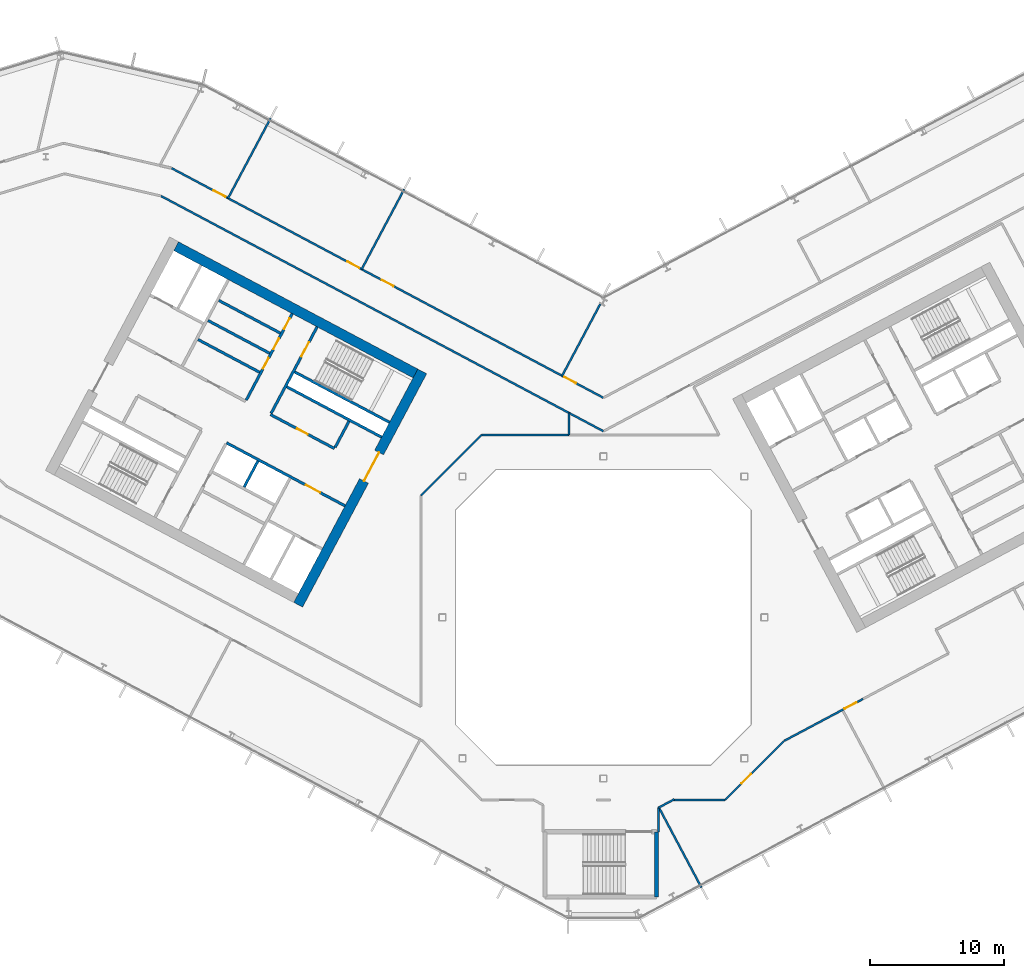
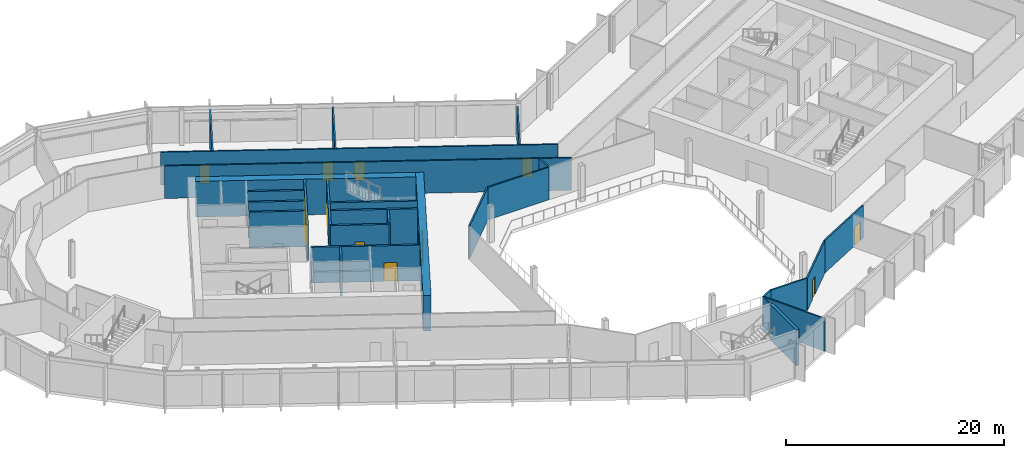
# One storey, part 15 of 28: 29 walls, 13 doors, 13 openings.
"""IFC4 building model written with IfcOpenShell, lengths in metres."""

from ifc_helpers import new_model, si_unit, direction, frame, frame_2d, origin, place, context, subcontext, project, spatial, rectangle, extrude, material, layer, layer_set, type_object, element, fill, save


model = new_model("IFC4")

# Units and contexts
model_context = context("Model", 3, precision=1e-05, world=origin(), true_north=direction((0.0, 1.0)))
body_context = subcontext(model_context, "Body", "Model", "MODEL_VIEW")
ifc_project = project(units=[si_unit("LENGTHUNIT", "METRE"), si_unit("AREAUNIT", "SQUARE_METRE"), si_unit("VOLUMEUNIT", "CUBIC_METRE"), si_unit("PLANEANGLEUNIT", "RADIAN"), si_unit("MASSUNIT", "GRAM", prefix="KILO")], contexts=[model_context])

# Site, building, storey
site_placement = place(None, origin())
site = spatial("IfcSite", under=ifc_project, at=site_placement, CompositionType="ELEMENT")
building_placement = place(site_placement, origin())
building = spatial("IfcBuilding", under=site, at=building_placement, Name="Cormorant Relay Tower", CompositionType="ELEMENT")
storey_placement = place(building_placement, frame((0.0, 0.0, 154.199951171875)))
storey = spatial("IfcBuildingStorey", under=building, at=storey_placement, Name="L32", CompositionType="ELEMENT", Elevation=154.199951171875)

# Walls
ifc_material_1 = material(Name="Concrete 40 MPa", Category="concrete")
ifc_layer_1 = layer(ifc_material_1, 0.199951171875)
ifc_layer_set_1 = layer_set([ifc_layer_1], Name="Core internal wall 200")
wall_type_1 = type_object("IfcWallType", Name="Core internal wall 200", PredefinedType="SOLIDWALL", material=ifc_layer_set_1)
wall_1_placement = place(storey_placement, frame((-25.744140625, 11.64990234375, 0.0), z_axis=(0.0, 0.0, 1.0), x_axis=(-0.469487830541, -0.882938942948, 0.0)))
element("IfcWall", 1, at=wall_1_placement, inside=storey, type_object=wall_type_1, Name="L32 core A shaft and room wall", PredefinedType="SOLIDWALL", context=body_context, shape_type="SweptSolid", body=[
    extrude(rectangle(XDim=2.2001953125, YDim=0.199951171875, at=frame_2d((1.10009765625, 0.0))), origin(), (0.0, 0.0, 1.0), 4.0),
])
for number, where, z_axis, x_axis, name in (
    (2, (-24.073974609375, 21.181396484375, 0.0), (0.0, 0.0, 1.0), (-0.882953967957, 0.469459572775, 0.0), "L32 core A shaft and room wall"),
    (3, (-24.8720703125, 19.680419921875, 0.0), (0.0, 0.0, 1.0), (-0.882953967957, 0.469459572775, 0.0), "L32 core A shaft and room wall"),
):
    element("IfcWall", number, at=place(storey_placement, frame(where, z_axis=z_axis, x_axis=x_axis)), inside=storey, type_object=wall_type_1, Name=name, PredefinedType="SOLIDWALL", context=body_context, shape_type="SweptSolid", body=[
        extrude(rectangle(XDim=5.199951171875, YDim=0.199951171875, at=frame_2d((2.60009765625, 0.0))), origin(), (0.0, 0.0, 1.0), 4.0),
    ])
ifc_material_2 = material(Name="Concrete 50 MPa", Category="concrete")
ifc_layer_2 = layer(ifc_material_2, 0.199951171875)
ifc_layer_set_2 = layer_set([ifc_layer_2], Name="Core shaft wall 200")
wall_type_2 = type_object("IfcWallType", Name="Core shaft wall 200", PredefinedType="SHEAR", material=ifc_layer_set_2)
wall_2_placement = place(storey_placement, frame((-18.959716796875, 14.611328125, 0.0), z_axis=(0.0, 0.0, 1.0), x_axis=(-0.4694473164, -0.882960484464, 0.0)))
element("IfcWall", 4, at=wall_2_placement, inside=storey, type_object=wall_type_2, Name="L32 core A shaft wall", PredefinedType="SHEAR", context=body_context, shape_type="SweptSolid", body=[
    extrude(rectangle(XDim=2.199951171875, YDim=0.199951171875, at=frame_2d((1.10009765625, 0.0))), origin(), (0.0, 0.0, 1.0), 4.0),
])

# Wall, opening, door
wall_3_placement = place(storey_placement, frame((-21.333251953125, 21.6494140625, 0.0), z_axis=(0.0, 0.0, 1.0), x_axis=(-0.469494272526, -0.882935517501, 0.0)))
wall_3 = element("IfcWall", 5, at=wall_3_placement, inside=storey, type_object=wall_type_2, Name="L32 core A shaft wall", PredefinedType="SHEAR", context=body_context, shape_type="SweptSolid", body=[
    extrude(rectangle(XDim=7.2998046875, YDim=0.199951171875, at=frame_2d((3.64990234375, 0.0))), origin(), (0.0, 0.0, 1.0), 4.0),
])
opening_1_placement = place(wall_3_placement, frame((1.300048828125, 0.0, 0.0)))
opening_1 = element("IfcOpeningElement", 6, at=opening_1_placement, cuts=wall_3, Name="Opening CDB-034", PredefinedType="OPENING", context=body_context, shape_type="SweptSolid", body=[
    extrude(rectangle(XDim=1.199951171875, YDim=2.10009765625, at=frame_2d((0.60009765625, 1.050048828125))), frame((0.0, 0.10986328125, 0.0), z_axis=(0.0, -1.0, 0.0), x_axis=(1.0, 0.0, 0.0)), (0.0, 0.0, 1.0), 0.219970703125),
])
ifc_material_3 = material(Name="Steel fire door", Category="steel")
door_type_1 = type_object("IfcDoorType", Name="Core stair door 1200x2100", OperationType="SINGLE_SWING_LEFT", PredefinedType="DOOR", material=ifc_material_3)
door_1_placement = place(opening_1_placement, origin())
door_1 = element("IfcDoor", 7, at=door_1_placement, inside=storey, type_object=door_type_1, Name="Core stair door 1200x2100", OperationType="SINGLE_SWING_RIGHT", OverallHeight=2.10009765625, OverallWidth=1.199951171875, PredefinedType="DOOR", context=body_context, shape_type="SweptSolid", body=[
    extrude(rectangle(XDim=1.199951171875, YDim=2.10009765625, at=frame_2d((0.60009765625, 1.050048828125))), frame((0.0, 0.02490234375, 0.0), z_axis=(0.0, -1.0, 0.0), x_axis=(1.0, 0.0, 0.0)), (0.0, 0.0, 1.0), 0.050048828125),
])
fill(opening_1, door_1)

# Wall, openings, doors
wall_4_placement = place(storey_placement, frame((-23.1875, 22.635498046875, 0.0), z_axis=(0.0, 0.0, 1.0), x_axis=(-0.469454336211, -0.882956752176, 0.0)))
wall_4 = element("IfcWall", 8, at=wall_4_placement, inside=storey, type_object=wall_type_2, Name="L32 core A shaft wall", PredefinedType="SHEAR", context=body_context, shape_type="SweptSolid", body=[
    extrude(rectangle(XDim=7.300048828125, YDim=0.199951171875, at=frame_2d((3.64990234375, 0.0))), origin(), (0.0, 0.0, 1.0), 4.0),
])
opening_2_placement = place(wall_4_placement, frame((0.39990234375, 0.0, 0.0)))
opening_2 = element("IfcOpeningElement", 9, at=opening_2_placement, cuts=wall_4, Name="Opening CDD-174", PredefinedType="OPENING", context=body_context, shape_type="SweptSolid", body=[
    extrude(rectangle(XDim=0.89990234375, YDim=2.10009765625, at=frame_2d((0.449951171875, 1.050048828125))), frame((0.0, 0.10986328125, 0.0), z_axis=(0.0, -1.0, 0.0), x_axis=(1.0, 0.0, 0.0)), (0.0, 0.0, 1.0), 0.219970703125),
])
opening_3_placement = place(wall_4_placement, frame((2.10009765625, 0.0, 0.0)))
opening_3 = element("IfcOpeningElement", 10, at=opening_3_placement, cuts=wall_4, Name="Opening CDD-175", PredefinedType="OPENING", context=body_context, shape_type="SweptSolid", body=[
    extrude(rectangle(XDim=0.89990234375, YDim=2.10009765625, at=frame_2d((0.449951171875, 1.050048828125))), frame((0.0, 0.10986328125, 0.0), z_axis=(0.0, -1.0, 0.0), x_axis=(1.0, 0.0, 0.0)), (0.0, 0.0, 1.0), 0.219970703125),
])
opening_4_placement = place(wall_4_placement, frame((3.75, 0.0, 0.0)))
opening_4 = element("IfcOpeningElement", 11, at=opening_4_placement, cuts=wall_4, Name="Opening CDD-176", PredefinedType="OPENING", context=body_context, shape_type="SweptSolid", body=[
    extrude(rectangle(XDim=0.89990234375, YDim=2.10009765625, at=frame_2d((0.449951171875, 1.050048828125))), frame((0.0, 0.10986328125, 0.0), z_axis=(0.0, -1.0, 0.0), x_axis=(1.0, 0.0, 0.0)), (0.0, 0.0, 1.0), 0.219970703125),
])
ifc_material_4 = material(Name="Steel fire door", Category="steel")
door_type_2 = type_object("IfcDoorType", Name="Core room door 900x2100", OperationType="SINGLE_SWING_LEFT", PredefinedType="DOOR", material=ifc_material_4)
door_2_placement = place(opening_2_placement, origin())
door_2 = element("IfcDoor", 12, at=door_2_placement, inside=storey, type_object=door_type_2, Name="Core room door 900x2100", OperationType="SINGLE_SWING_LEFT", OverallHeight=2.10009765625, OverallWidth=0.89990234375, PredefinedType="DOOR", context=body_context, shape_type="SweptSolid", body=[
    extrude(rectangle(XDim=0.89990234375, YDim=2.10009765625, at=frame_2d((0.449951171875, 1.050048828125))), frame((0.0, 0.02490234375, 0.0), z_axis=(0.0, -1.0, 0.0), x_axis=(1.0, 0.0, 0.0)), (0.0, 0.0, 1.0), 0.050048828125),
])
fill(opening_2, door_2)
door_3_placement = place(opening_3_placement, origin())
door_3 = element("IfcDoor", 13, at=door_3_placement, inside=storey, type_object=door_type_2, Name="Core room door 900x2100", OperationType="SINGLE_SWING_LEFT", OverallHeight=2.10009765625, OverallWidth=0.89990234375, PredefinedType="DOOR", context=body_context, shape_type="SweptSolid", body=[
    extrude(rectangle(XDim=0.89990234375, YDim=2.10009765625, at=frame_2d((0.449951171875, 1.050048828125))), frame((0.0, 0.02490234375, 0.0), z_axis=(0.0, -1.0, 0.0), x_axis=(1.0, 0.0, 0.0)), (0.0, 0.0, 1.0), 0.050048828125),
])
fill(opening_3, door_3)
door_4_placement = place(opening_4_placement, origin())
door_4 = element("IfcDoor", 14, at=door_4_placement, inside=storey, type_object=door_type_2, Name="Core room door 900x2100", OperationType="SINGLE_SWING_LEFT", OverallHeight=2.10009765625, OverallWidth=0.89990234375, PredefinedType="DOOR", context=body_context, shape_type="SweptSolid", body=[
    extrude(rectangle(XDim=0.89990234375, YDim=2.10009765625, at=frame_2d((0.449951171875, 1.050048828125))), frame((0.0, 0.02490234375, 0.0), z_axis=(0.0, -1.0, 0.0), x_axis=(1.0, 0.0, 0.0)), (0.0, 0.0, 1.0), 0.050048828125),
])
fill(opening_4, door_4)

# Walls
wall_5_placement = place(storey_placement, frame((-15.94189453125, 14.53564453125, 0.0), z_axis=(0.0, 0.0, 1.0), x_axis=(-0.882946947542, 0.469472776449, 0.0)))
element("IfcWall", 15, at=wall_5_placement, inside=storey, type_object=wall_type_2, Name="L32 core A shaft wall", PredefinedType="SHEAR", context=body_context, shape_type="SweptSolid", body=[
    extrude(rectangle(XDim=8.000244140625, YDim=0.199951171875, at=frame_2d((4.0, 0.0))), origin(), (0.0, 0.0, 1.0), 4.0),
])
wall_6_placement = place(storey_placement, frame((-16.52880859375, 13.43212890625, 0.0), z_axis=(0.0, 0.0, 1.0), x_axis=(-0.88295287151, 0.469461634952, 0.0)))
element("IfcWall", 16, at=wall_6_placement, inside=storey, type_object=wall_type_2, Name="L32 core A shaft wall", PredefinedType="SHEAR", context=body_context, shape_type="SweptSolid", body=[
    extrude(rectangle(XDim=7.999755859375, YDim=0.199951171875, at=frame_2d((4.0, 0.0))), origin(), (0.0, 0.0, 1.0), 4.0),
])
wall_7_placement = place(storey_placement, frame((-25.623046875, 18.267578125, 0.0), z_axis=(0.0, 0.0, 1.0), x_axis=(-0.882953967957, 0.469459572775, 0.0)))
element("IfcWall", 17, at=wall_7_placement, inside=storey, type_object=wall_type_2, Name="L32 core A shaft wall", PredefinedType="SHEAR", context=body_context, shape_type="SweptSolid", body=[
    extrude(rectangle(XDim=5.199951171875, YDim=0.199951171875, at=frame_2d((2.60009765625, 0.0))), origin(), (0.0, 0.0, 1.0), 4.0),
])

# Wall, opening, door
wall_8_placement = place(storey_placement, frame((-20.03955078125, 12.58056640625, 0.0), z_axis=(0.0, 0.0, 1.0), x_axis=(-0.882942972946, 0.469480251476, 0.0)))
wall_8 = element("IfcWall", 18, at=wall_8_placement, inside=storey, type_object=wall_type_2, Name="L32 core A shaft wall", PredefinedType="SHEAR", context=body_context, shape_type="SweptSolid", body=[
    extrude(rectangle(XDim=5.39990234375, YDim=0.199951171875, at=frame_2d((2.699951171875, 0.0))), origin(), (0.0, 0.0, 1.0), 4.0),
])
opening_5_placement = place(wall_8_placement, frame((2.25, 0.0, 0.0)))
opening_5 = element("IfcOpeningElement", 19, at=opening_5_placement, cuts=wall_8, Name="Opening CDD-206", PredefinedType="OPENING", context=body_context, shape_type="SweptSolid", body=[
    extrude(rectangle(XDim=0.89990234375, YDim=2.10009765625, at=frame_2d((0.449951171875, 1.050048828125))), frame((0.0, 0.10986328125, 0.0), z_axis=(0.0, -1.0, 0.0), x_axis=(1.0, 0.0, 0.0)), (0.0, 0.0, 1.0), 0.219970703125),
])
door_5_placement = place(opening_5_placement, origin())
door_5 = element("IfcDoor", 20, at=door_5_placement, inside=storey, type_object=door_type_2, Name="Core room door 900x2100", OperationType="SINGLE_SWING_LEFT", OverallHeight=2.10009765625, OverallWidth=0.89990234375, PredefinedType="DOOR", context=body_context, shape_type="SweptSolid", body=[
    extrude(rectangle(XDim=0.89990234375, YDim=2.10009765625, at=frame_2d((0.449951171875, 1.050048828125))), frame((0.0, 0.02490234375, 0.0), z_axis=(0.0, -1.0, 0.0), x_axis=(1.0, 0.0, 0.0)), (0.0, 0.0, 1.0), 0.050048828125),
])
fill(opening_5, door_5)

wall_9_placement = place(storey_placement, frame((-19.251708984375, 8.31103515625, 0.0), z_axis=(0.0, 0.0, 1.0), x_axis=(-0.882955722218, 0.469456273365, 0.0)))
wall_9 = element("IfcWall", 21, at=wall_9_placement, inside=storey, type_object=wall_type_2, Name="L32 core A shaft wall", PredefinedType="SHEAR", context=body_context, shape_type="SweptSolid", body=[
    extrude(rectangle(XDim=10.0, YDim=0.199951171875, at=frame_2d((5.0, 0.0))), origin(), (0.0, 0.0, 1.0), 4.0),
])
opening_6_placement = place(wall_9_placement, frame((2.10009765625, 0.0, 0.0)))
opening_6 = element("IfcOpeningElement", 22, at=opening_6_placement, cuts=wall_9, Name="Opening CDC-025", PredefinedType="OPENING", context=body_context, shape_type="SweptSolid", body=[
    extrude(rectangle(XDim=1.199951171875, YDim=2.10009765625, at=frame_2d((0.60009765625, 1.050048828125))), frame((0.0, 0.10986328125, 0.0), z_axis=(0.0, -1.0, 0.0), x_axis=(1.0, 0.0, 0.0)), (0.0, 0.0, 1.0), 0.219970703125),
])
ifc_material_5 = material(Name="Steel fire door", Category="steel")
door_type_3 = type_object("IfcDoorType", Name="Core lobby door 1200x2100", OperationType="SINGLE_SWING_LEFT", PredefinedType="DOOR", material=ifc_material_5)
door_6_placement = place(opening_6_placement, origin())
door_6 = element("IfcDoor", 23, at=door_6_placement, inside=storey, type_object=door_type_3, Name="Core lobby door 1200x2100", OperationType="SINGLE_SWING_RIGHT", OverallHeight=2.10009765625, OverallWidth=1.199951171875, PredefinedType="DOOR", context=body_context, shape_type="SweptSolid", body=[
    extrude(rectangle(XDim=1.199951171875, YDim=2.10009765625, at=frame_2d((0.60009765625, 1.050048828125))), frame((0.0, 0.02490234375, 0.0), z_axis=(0.0, -1.0, 0.0), x_axis=(1.0, 0.0, 0.0)), (0.0, 0.0, 1.0), 0.050048828125),
])
fill(opening_6, door_6)

ifc_material_6 = material(Name="Concrete 60 MPa", Category="concrete")
ifc_layer_3 = layer(ifc_material_6, 0.75)
ifc_layer_set_3 = layer_set([ifc_layer_3], Name="Core wall 750")
wall_type_3 = type_object("IfcWallType", Name="Core wall 750", PredefinedType="SHEAR", material=ifc_layer_set_3)
wall_10_placement = place(storey_placement, frame((-13.498291015625, 18.3330078125, 0.0), z_axis=(0.0, 0.0, 1.0), x_axis=(-0.469469918705, -0.88294846703, 0.0)))
wall_10 = element("IfcWall", 24, at=wall_10_placement, inside=storey, type_object=wall_type_3, Name="L32 core A wall", PredefinedType="SHEAR", context=body_context, shape_type="SweptSolid", body=[
    extrude(rectangle(XDim=19.699951171875, YDim=0.75, at=frame_2d((9.85009765625, 0.0))), origin(), (0.0, 0.0, 1.0), 4.0),
])
opening_7_placement = place(wall_10_placement, frame((6.85009765625, 0.0, 0.0)))
opening_7 = element("IfcOpeningElement", 25, at=opening_7_placement, cuts=wall_10, Name="Opening CDA-026", PredefinedType="OPENING", context=body_context, shape_type="SweptSolid", body=[
    extrude(rectangle(XDim=2.39990234375, YDim=2.39990234375, at=frame_2d((1.199951171875, 1.199951171875))), frame((0.0, 0.385009765625, 0.0), z_axis=(0.0, -1.0, 0.0), x_axis=(1.0, 0.0, 0.0)), (0.0, 0.0, 1.0), 0.77001953125),
])
ifc_material_7 = material(Name="Steel fire door", Category="steel")
door_type_4 = type_object("IfcDoorType", Name="Core lobby door 2400x2400", OperationType="DOUBLE_DOOR_SINGLE_SWING", PredefinedType="DOOR", material=ifc_material_7)
door_7_placement = place(opening_7_placement, origin())
door_7 = element("IfcDoor", 26, at=door_7_placement, inside=storey, type_object=door_type_4, Name="Core lobby door 2400x2400", OperationType="DOUBLE_DOOR_SINGLE_SWING", OverallHeight=2.39990234375, OverallWidth=2.39990234375, PredefinedType="DOOR", context=body_context, shape_type="SweptSolid", body=[
    extrude(rectangle(XDim=2.39990234375, YDim=2.39990234375, at=frame_2d((1.199951171875, 1.199951171875))), frame((0.0, 0.02490234375, 0.0), z_axis=(0.0, -1.0, 0.0), x_axis=(1.0, 0.0, 0.0)), (0.0, 0.0, 1.0), 0.050048828125),
])
fill(opening_7, door_7)

# Walls
wall_11_placement = place(storey_placement, frame((-14.00537109375, 18.177978515625, 0.0), z_axis=(0.0, 0.0, 1.0), x_axis=(-0.88295010195, 0.469466843842, 0.0)))
element("IfcWall", 27, at=wall_11_placement, inside=storey, type_object=wall_type_3, Name="L32 core A wall", PredefinedType="SHEAR", context=body_context, shape_type="SweptSolid", body=[
    extrude(rectangle(XDim=20.199951171875, YDim=0.75, at=frame_2d((10.10009765625, 0.0))), origin(), (0.0, 0.0, 1.0), 4.0),
])
ifc_material_8 = material(Name="Gypsum board fire partition")
ifc_layer_4 = layer(ifc_material_8, 0.14990234375)
ifc_layer_set_4 = layer_set([ifc_layer_4], Name="Corridor partition 150 EI 60")
wall_type_4 = type_object("IfcWallType", Name="Corridor partition 150 EI 60", PredefinedType="PARTITIONING", material=ifc_layer_set_4)
wall_12_placement = place(storey_placement, frame((-32.964111328125, 31.402099609375, 0.0), z_axis=(0.0, 0.0, 1.0), x_axis=(0.88293807027, -0.469489471733, 0.0)))
element("IfcWall", 28, at=wall_12_placement, inside=storey, type_object=wall_type_4, Name="wall/L32/part/023", PredefinedType="PARTITIONING", context=body_context, shape_type="SweptSolid", body=[
    extrude(rectangle(XDim=34.4248046875, YDim=0.14990234375, at=frame_2d((17.21240234375, 0.0))), origin(), (0.0, 0.0, 1.0), 3.64013671875),
])
wall_13_placement = place(storey_placement, frame((-2.570068359375, 13.60009765625, 0.0), z_axis=(0.0, 0.0, 1.0), x_axis=(-1.0, 0.0, 0.0)))
element("IfcWall", 29, at=wall_13_placement, inside=storey, type_object=wall_type_4, Name="wall/L32/part/026", PredefinedType="PARTITIONING", context=body_context, shape_type="SweptSolid", body=[
    extrude(rectangle(XDim=6.5068359375, YDim=0.14990234375, at=frame_2d((3.25341796875, 0.0))), origin(), (0.0, 0.0, 1.0), 3.64013671875),
])
wall_14_placement = place(storey_placement, frame((-9.076904296875, 13.60009765625, 0.0), z_axis=(0.0, 0.0, 1.0), x_axis=(-0.707106781187, -0.707106781187, 0.0)))
element("IfcWall", 30, at=wall_14_placement, inside=storey, type_object=wall_type_4, Name="wall/L32/part/027", PredefinedType="PARTITIONING", context=body_context, shape_type="SweptSolid", body=[
    extrude(rectangle(XDim=6.396728515625, YDim=0.14990234375, at=frame_2d((3.1982421875, 0.0))), origin(), (0.0, 0.0, 1.0), 3.64013671875),
])

# Wall, openings, doors
wall_15_placement = place(storey_placement, frame((-32.18701171875, 33.47998046875, 0.0), z_axis=(0.0, 0.0, 1.0), x_axis=(0.88294900327, -0.469468910179, 0.0)))
wall_15 = element("IfcWall", 31, at=wall_15_placement, inside=storey, type_object=wall_type_4, Name="wall/L32/part/039", PredefinedType="PARTITIONING", context=body_context, shape_type="SweptSolid", body=[
    extrude(rectangle(XDim=36.4541015625, YDim=0.14990234375, at=frame_2d((18.22705078125, 0.0))), origin(), (0.0, 0.0, 1.0), 3.64013671875),
])
opening_8_placement = place(wall_15_placement, frame((33.14990234375, 0.0, 0.0)))
opening_8 = element("IfcOpeningElement", 32, at=opening_8_placement, cuts=wall_15, Name="Opening DS-050", PredefinedType="OPENING", context=body_context, shape_type="SweptSolid", body=[
    extrude(rectangle(XDim=1.0, YDim=2.10009765625, at=frame_2d((0.5, 1.050048828125))), frame((0.0, 0.0849609375, 0.0), z_axis=(0.0, -1.0, 0.0), x_axis=(1.0, 0.0, 0.0)), (0.0, 0.0, 1.0), 0.169921875),
])
opening_9_placement = place(wall_15_placement, frame((17.75, 0.0, 0.0)))
opening_9 = element("IfcOpeningElement", 33, at=opening_9_placement, cuts=wall_15, Name="Opening DS-051", PredefinedType="OPENING", context=body_context, shape_type="SweptSolid", body=[
    extrude(rectangle(XDim=1.0, YDim=2.10009765625, at=frame_2d((0.5, 1.050048828125))), frame((0.0, 0.0849609375, 0.0), z_axis=(0.0, -1.0, 0.0), x_axis=(1.0, 0.0, 0.0)), (0.0, 0.0, 1.0), 0.169921875),
])
opening_10_placement = place(wall_15_placement, frame((14.85009765625, 0.0, 0.0)))
opening_10 = element("IfcOpeningElement", 34, at=opening_10_placement, cuts=wall_15, Name="Opening DS-052", PredefinedType="OPENING", context=body_context, shape_type="SweptSolid", body=[
    extrude(rectangle(XDim=1.0, YDim=2.10009765625, at=frame_2d((0.5, 1.050048828125))), frame((0.0, 0.0849609375, 0.0), z_axis=(0.0, -1.0, 0.0), x_axis=(1.0, 0.0, 0.0)), (0.0, 0.0, 1.0), 0.169921875),
])
opening_11_placement = place(wall_15_placement, frame((3.550048828125, 0.0, 0.0)))
opening_11 = element("IfcOpeningElement", 35, at=opening_11_placement, cuts=wall_15, Name="Opening DS-053", PredefinedType="OPENING", context=body_context, shape_type="SweptSolid", body=[
    extrude(rectangle(XDim=1.0, YDim=2.10009765625, at=frame_2d((0.5, 1.050048828125))), frame((0.0, 0.0849609375, 0.0), z_axis=(0.0, -1.0, 0.0), x_axis=(1.0, 0.0, 0.0)), (0.0, 0.0, 1.0), 0.169921875),
])
ifc_material_9 = material(Name="Timber door leaf", Category="wood")
door_type_5 = type_object("IfcDoorType", Name="Suite door 1000x2100", OperationType="SINGLE_SWING_LEFT", PredefinedType="DOOR", material=ifc_material_9)
door_8_placement = place(opening_8_placement, origin())
door_8 = element("IfcDoor", 36, at=door_8_placement, inside=storey, type_object=door_type_5, Name="door/L32/008", OperationType="SINGLE_SWING_LEFT", OverallHeight=2.10009765625, OverallWidth=1.0, PredefinedType="DOOR", context=body_context, shape_type="SweptSolid", body=[
    extrude(rectangle(XDim=1.0, YDim=2.10009765625, at=frame_2d((0.5, 1.050048828125))), frame((0.0, 0.02490234375, 0.0), z_axis=(0.0, -1.0, 0.0), x_axis=(1.0, 0.0, 0.0)), (0.0, 0.0, 1.0), 0.050048828125),
])
fill(opening_8, door_8)
door_9_placement = place(opening_9_placement, origin())
door_9 = element("IfcDoor", 37, at=door_9_placement, inside=storey, type_object=door_type_5, Name="door/L32/009", OperationType="SINGLE_SWING_RIGHT", OverallHeight=2.10009765625, OverallWidth=1.0, PredefinedType="DOOR", context=body_context, shape_type="SweptSolid", body=[
    extrude(rectangle(XDim=1.0, YDim=2.10009765625, at=frame_2d((0.5, 1.050048828125))), frame((0.0, 0.02490234375, 0.0), z_axis=(0.0, -1.0, 0.0), x_axis=(1.0, 0.0, 0.0)), (0.0, 0.0, 1.0), 0.050048828125),
])
fill(opening_9, door_9)
door_10_placement = place(opening_10_placement, origin())
door_10 = element("IfcDoor", 38, at=door_10_placement, inside=storey, type_object=door_type_5, Name="door/L32/010", OperationType="SINGLE_SWING_RIGHT", OverallHeight=2.10009765625, OverallWidth=1.0, PredefinedType="DOOR", context=body_context, shape_type="SweptSolid", body=[
    extrude(rectangle(XDim=1.0, YDim=2.10009765625, at=frame_2d((0.5, 1.050048828125))), frame((0.0, 0.02490234375, 0.0), z_axis=(0.0, -1.0, 0.0), x_axis=(1.0, 0.0, 0.0)), (0.0, 0.0, 1.0), 0.050048828125),
])
fill(opening_10, door_10)
door_11_placement = place(opening_11_placement, origin())
door_11 = element("IfcDoor", 39, at=door_11_placement, inside=storey, type_object=door_type_5, Name="door/L32/011", OperationType="SINGLE_SWING_RIGHT", OverallHeight=2.10009765625, OverallWidth=1.0, PredefinedType="DOOR", context=body_context, shape_type="SweptSolid", body=[
    extrude(rectangle(XDim=1.0, YDim=2.10009765625, at=frame_2d((0.5, 1.050048828125))), frame((0.0, 0.02490234375, 0.0), z_axis=(0.0, -1.0, 0.0), x_axis=(1.0, 0.0, 0.0)), (0.0, 0.0, 1.0), 0.050048828125),
])
fill(opening_11, door_11)

# Walls
wall_16_placement = place(storey_placement, frame((-2.569091796875, 15.239990234375, 0.0), z_axis=(0.0, 0.0, 1.0), x_axis=(0.882953795959, -0.469459896265, 0.0)))
element("IfcWall", 40, at=wall_16_placement, inside=storey, type_object=wall_type_4, Name="wall/L32/part/050", PredefinedType="PARTITIONING", context=body_context, shape_type="SweptSolid", body=[
    extrude(rectangle(XDim=2.90966796875, YDim=0.14990234375, at=frame_2d((1.454833984375, 0.0))), origin(), (0.0, 0.0, 1.0), 3.64013671875),
])
wall_17_placement = place(storey_placement, frame((5.283935546875, -13.555908203125, 0.0), z_axis=(0.0, 0.0, 1.0), x_axis=(-0.882740669896, -0.469860521551, 0.0)))
element("IfcWall", 41, at=wall_17_placement, inside=storey, type_object=wall_type_4, Name="wall/L32/part/059", PredefinedType="PARTITIONING", context=body_context, shape_type="SweptSolid", body=[
    extrude(rectangle(XDim=1.341064453125, YDim=0.14990234375, at=frame_2d((0.67041015625, 0.0))), origin(), (0.0, 0.0, 1.0), 3.64013671875),
])
wall_18_placement = place(storey_placement, frame((4.10009765625, -14.18603515625, 0.0), z_axis=(0.0, 0.0, 1.0), x_axis=(0.0, -1.0, 0.0)))
element("IfcWall", 42, at=wall_18_placement, inside=storey, type_object=wall_type_4, Name="wall/L32/part/060", PredefinedType="PARTITIONING", context=body_context, shape_type="SweptSolid", body=[
    extrude(rectangle(XDim=1.7890625, YDim=0.14990234375, at=frame_2d((0.89453125, 0.0))), origin(), (0.0, 0.0, 1.0), 3.64013671875),
])

# Wall, opening, door
wall_19_placement = place(storey_placement, frame((13.46142578125, -9.215576171875, 0.0), z_axis=(0.0, 0.0, 1.0), x_axis=(-0.707106781187, -0.707106781187, 0.0)))
wall_19 = element("IfcWall", 43, at=wall_19_placement, inside=storey, type_object=wall_type_4, Name="wall/L32/part/061", PredefinedType="PARTITIONING", context=body_context, shape_type="SweptSolid", body=[
    extrude(rectangle(XDim=6.20068359375, YDim=0.14990234375, at=frame_2d((3.100341796875, 0.0))), origin(), (0.0, 0.0, 1.0), 3.64013671875),
])
opening_12_placement = place(wall_19_placement, frame((3.496826171875, 0.0, 0.0)))
opening_12 = element("IfcOpeningElement", 44, at=opening_12_placement, cuts=wall_19, Name="Opening DS-045", PredefinedType="OPENING", context=body_context, shape_type="SweptSolid", body=[
    extrude(rectangle(XDim=1.0, YDim=2.10009765625, at=frame_2d((0.5, 1.050048828125))), frame((0.0, 0.0849609375, 0.0), z_axis=(0.0, -1.0, 0.0), x_axis=(1.0, 0.0, 0.0)), (0.0, 0.0, 1.0), 0.169921875),
])
door_12_placement = place(opening_12_placement, origin())
door_12 = element("IfcDoor", 45, at=door_12_placement, inside=storey, type_object=door_type_5, Name="door/L32/003", OperationType="SINGLE_SWING_LEFT", OverallHeight=2.10009765625, OverallWidth=1.0, PredefinedType="DOOR", context=body_context, shape_type="SweptSolid", body=[
    extrude(rectangle(XDim=1.0, YDim=2.10009765625, at=frame_2d((0.5, 1.050048828125))), frame((0.0, 0.02490234375, 0.0), z_axis=(0.0, -1.0, 0.0), x_axis=(1.0, 0.0, 0.0)), (0.0, 0.0, 1.0), 0.050048828125),
])
fill(opening_12, door_12)

# Wall
wall_20_placement = place(storey_placement, frame((9.076904296875, -13.60009765625, 0.0), z_axis=(0.0, 0.0, 1.0), x_axis=(-1.0, 0.0, 0.0)))
element("IfcWall", 46, at=wall_20_placement, inside=storey, type_object=wall_type_4, Name="wall/L32/part/062", PredefinedType="PARTITIONING", context=body_context, shape_type="SweptSolid", body=[
    extrude(rectangle(XDim=3.8369140625, YDim=0.14990234375, at=frame_2d((1.91845703125, 0.0))), origin(), (0.0, 0.0, 1.0), 3.64013671875),
])

# Wall, opening, door
wall_21_placement = place(storey_placement, frame((19.343994140625, -6.080078125, 0.0), z_axis=(0.0, 0.0, 1.0), x_axis=(-0.882924889458, -0.469514259181, 0.0)))
wall_21 = element("IfcWall", 47, at=wall_21_placement, inside=storey, type_object=wall_type_4, Name="wall/L32/part/065", PredefinedType="PARTITIONING", context=body_context, shape_type="SweptSolid", body=[
    extrude(rectangle(XDim=6.644775390625, YDim=0.14990234375, at=frame_2d((3.322265625, 0.0))), origin(), (0.0, 0.0, 1.0), 3.64013671875),
])
opening_13_placement = place(wall_21_placement, frame((0.550048828125, 0.0, 0.0)))
opening_13 = element("IfcOpeningElement", 48, at=opening_13_placement, cuts=wall_21, Name="Opening DS-046", PredefinedType="OPENING", context=body_context, shape_type="SweptSolid", body=[
    extrude(rectangle(XDim=1.0, YDim=2.10009765625, at=frame_2d((0.5, 1.050048828125))), frame((0.0, 0.0849609375, 0.0), z_axis=(0.0, -1.0, 0.0), x_axis=(1.0, 0.0, 0.0)), (0.0, 0.0, 1.0), 0.169921875),
])
door_13_placement = place(opening_13_placement, origin())
door_13 = element("IfcDoor", 49, at=door_13_placement, inside=storey, type_object=door_type_5, Name="door/L32/004", OperationType="SINGLE_SWING_RIGHT", OverallHeight=2.10009765625, OverallWidth=1.0, PredefinedType="DOOR", context=body_context, shape_type="SweptSolid", body=[
    extrude(rectangle(XDim=1.0, YDim=2.10009765625, at=frame_2d((0.5, 1.050048828125))), frame((0.0, 0.02490234375, 0.0), z_axis=(0.0, -1.0, 0.0), x_axis=(1.0, 0.0, 0.0)), (0.0, 0.0, 1.0), 0.050048828125),
])
fill(opening_13, door_13)

# Walls
ifc_material_10 = material(Name="Concrete 50 MPa", Category="concrete")
ifc_layer_5 = layer(ifc_material_10, 0.300048828125)
ifc_layer_set_5 = layer_set([ifc_layer_5], Name="Remote stair wall 300")
wall_type_5 = type_object("IfcWallType", Name="Remote stair wall 300", PredefinedType="SHEAR", material=ifc_layer_set_5)
wall_22_placement = place(storey_placement, frame((3.949951171875, -15.97509765625, 0.0), z_axis=(0.0, 0.0, 1.0), x_axis=(0.0, -1.0, 0.0)))
element("IfcWall", 50, at=wall_22_placement, inside=storey, type_object=wall_type_5, Name="L32 exit stair RK1 wall", PredefinedType="SHEAR", context=body_context, shape_type="SweptSolid", body=[
    extrude(rectangle(XDim=4.849853515625, YDim=0.300048828125, at=frame_2d((2.4248046875, 0.0))), origin(), (0.0, 0.0, 1.0), 4.0),
])
ifc_material_11 = material(Name="Gypsum board partition")
ifc_layer_6 = layer(ifc_material_11, 0.14990234375)
ifc_layer_set_6 = layer_set([ifc_layer_6], Name="Tenant partition 150")
wall_type_6 = type_object("IfcWallType", Name="Tenant partition 150", PredefinedType="PARTITIONING", material=ifc_layer_set_6)
wall_23_placement = place(storey_placement, frame((-24.800048828125, 37.197021484375, 0.0), z_axis=(0.0, 0.0, 1.0), x_axis=(-0.469581783496, -0.882888978643, 0.0)))
element("IfcWall", 51, at=wall_23_placement, inside=storey, type_object=wall_type_6, Name="wall/L32/part/041", PredefinedType="PARTITIONING", context=body_context, shape_type="SweptSolid", body=[
    extrude(rectangle(XDim=6.75048828125, YDim=0.14990234375, at=frame_2d((3.375244140625, 0.0))), origin(), (0.0, 0.0, 1.0), 3.64013671875),
])
wall_24_placement = place(storey_placement, frame((-14.843994140625, 31.903076171875, 0.0), z_axis=(0.0, 0.0, 1.0), x_axis=(-0.469356207225, -0.883008918833, 0.0)))
element("IfcWall", 52, at=wall_24_placement, inside=storey, type_object=wall_type_6, Name="wall/L32/part/043", PredefinedType="PARTITIONING", context=body_context, shape_type="SweptSolid", body=[
    extrude(rectangle(XDim=6.74951171875, YDim=0.14990234375, at=frame_2d((3.374755859375, 0.0))), origin(), (0.0, 0.0, 1.0), 3.64013671875),
])
wall_25_placement = place(storey_placement, frame((-0.22412109375, 23.364013671875, 0.0), z_axis=(0.0, 0.0, 1.0), x_axis=(-0.46937563441, -0.882998592197, 0.0)))
element("IfcWall", 53, at=wall_25_placement, inside=storey, type_object=wall_type_6, Name="wall/L32/part/044", PredefinedType="PARTITIONING", context=body_context, shape_type="SweptSolid", body=[
    extrude(rectangle(XDim=6.07373046875, YDim=0.14990234375, at=frame_2d((3.036865234375, 0.0))), origin(), (0.0, 0.0, 1.0), 3.64013671875),
])
wall_26_placement = place(storey_placement, frame((-2.569091796875, 15.239990234375, 0.0), z_axis=(0.0, 0.0, 1.0), x_axis=(-0.00059550384, -0.999999822688, 0.0)))
element("IfcWall", 54, at=wall_26_placement, inside=storey, type_object=wall_type_6, Name="wall/L32/part/058", PredefinedType="PARTITIONING", context=body_context, shape_type="SweptSolid", body=[
    extrude(rectangle(XDim=1.639892578125, YDim=0.14990234375, at=frame_2d((0.81982421875, 0.0))), origin(), (0.0, 0.0, 1.0), 3.64013671875),
])
wall_27_placement = place(storey_placement, frame((7.303955078125, -20.126953125, 0.0), z_axis=(0.0, 0.0, 1.0), x_axis=(-0.469356207225, 0.883008918833, 0.0)))
element("IfcWall", 55, at=wall_27_placement, inside=storey, type_object=wall_type_6, Name="wall/L32/part/063", PredefinedType="PARTITIONING", context=body_context, shape_type="SweptSolid", body=[
    extrude(rectangle(XDim=6.74951171875, YDim=0.14990234375, at=frame_2d((3.374755859375, 0.0))), origin(), (0.0, 0.0, 1.0), 3.64013671875),
])

save(model, "model.ifc")
